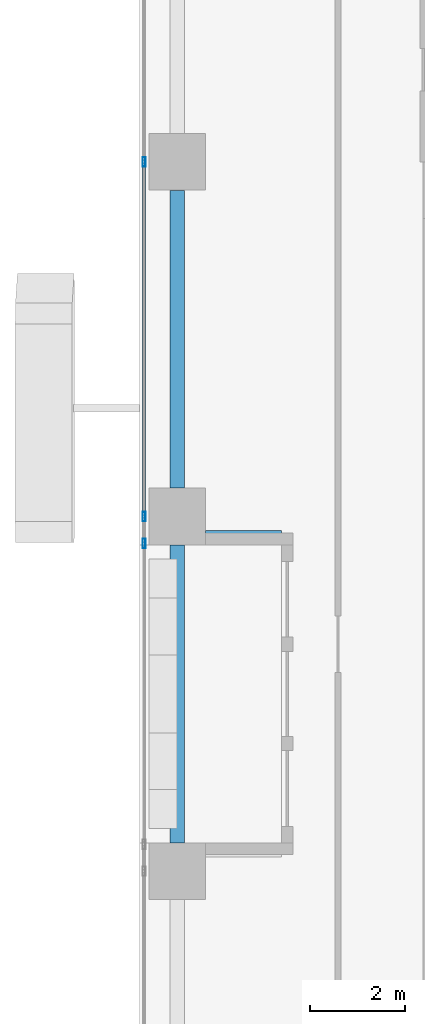
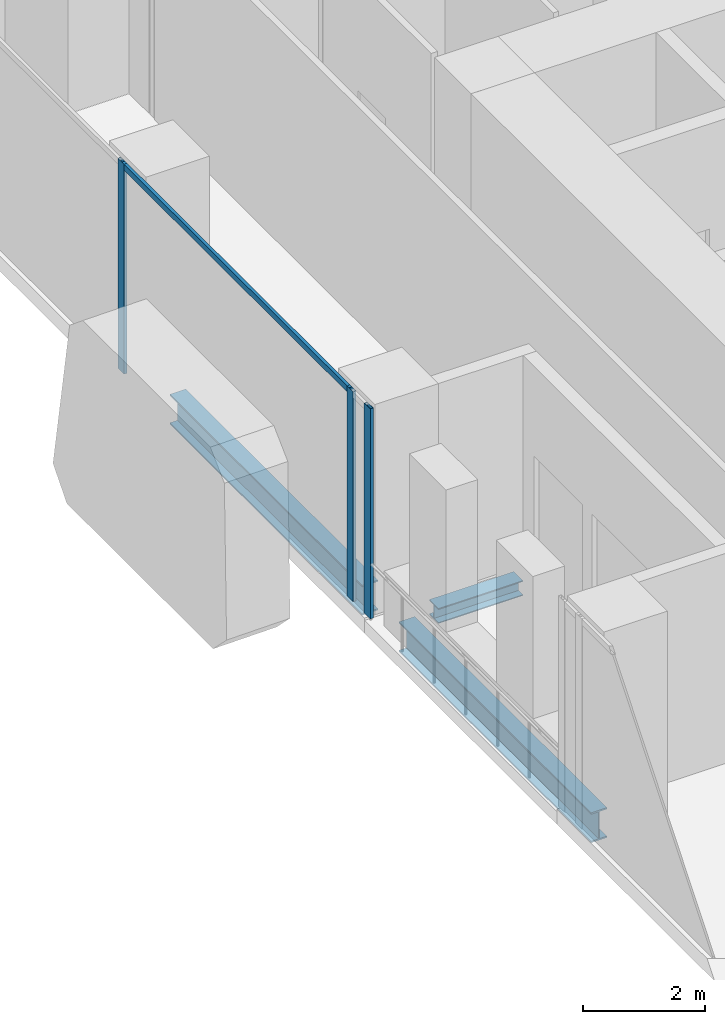
# One storey, part 12 of 35: 4 members, 3 beams, 1 element without a shape of its own.
"""IFC4 building model written with IfcOpenShell, lengths in metres."""

import ifcopenshell
import ifcopenshell.guid

model = None  # the IFC model being written
_history = None  # IfcOwnerHistory: only IFC2X3 demands one
_inside = {}  # id of a spatial element -> (the spatial element, [elements in it])
_under = {}  # id of a project, library or spatial element -> (it, [spatial elements below it])
_declared = {}  # id of a project -> (the project, [libraries it declares])
_typed = {}  # id of a type object -> (the type object, [elements of that type])
_made_of = {}  # id of a material, layer set ... -> (it, [elements and type objects made of it])


def new_model(schema):
    """Start an empty IFC model of exactly this schema.

    Asked for "IFC4X3", IfcOpenShell would pick the latest addendum, in which some entities
    have other attributes; the version numbers below select the first issue.
    IFC2X3 requires an IfcOwnerHistory on every rooted entity: one is made here for all.
    """
    global model, _history
    if schema == "IFC4X3":
        model = ifcopenshell.file(schema_version=(4, 3, 0, 0))
    else:
        model = ifcopenshell.file(schema=schema)
    _inside.clear()
    _under.clear()
    _declared.clear()
    _typed.clear()
    _made_of.clear()
    _history = None
    if model.schema == "IFC2X3":
        org = make("IfcOrganization", Name="unknown")
        user = make(
            "IfcPersonAndOrganization",
            ThePerson=make("IfcPerson", FamilyName="unknown"),
            TheOrganization=org,
        )
        app = make(
            "IfcApplication",
            ApplicationDeveloper=org,
            Version="unknown",
            ApplicationFullName="unknown",
            ApplicationIdentifier="unknown",
        )
        _history = make(
            "IfcOwnerHistory",
            OwningUser=user,
            OwningApplication=app,
            ChangeAction="ADDED",
            CreationDate=0,
        )
    return model


def make(cls, **values):
    """One entity of the class cls with the attributes given. An attribute that is None is left unset."""
    return model.create_entity(
        cls, **{name: value for name, value in values.items() if value is not None}
    )


def rooted(cls, **values):
    """An entity with a GlobalId (a new one), such as an element, a storey or a relation."""
    return make(cls, GlobalId=ifcopenshell.guid.new(), OwnerHistory=_history, **values)


def si_unit(unit_type, name, prefix=None):
    """IfcSIUnit, for example si_unit("LENGTHUNIT", "METRE", prefix="MILLI")."""
    return make("IfcSIUnit", UnitType=unit_type, Prefix=prefix, Name=name)


def assignment(units):
    """IfcUnitAssignment: the units of a project."""
    return None if units is None else make("IfcUnitAssignment", Units=units)


def point(xyz):
    """IfcCartesianPoint."""
    return None if xyz is None else make("IfcCartesianPoint", Coordinates=xyz)


def direction(xyz):
    """IfcDirection."""
    return None if xyz is None else make("IfcDirection", DirectionRatios=xyz)


def frame(location, z_axis=None, x_axis=None):
    """IfcAxis2Placement3D, a coordinate frame: its origin and axes. An axis left out is left unset."""
    return make(
        "IfcAxis2Placement3D",
        Location=point(location),
        Axis=direction(z_axis),
        RefDirection=direction(x_axis),
    )


def frame_2d(location, x_axis=None):
    """IfcAxis2Placement2D, a coordinate frame in the plane: its origin and x axis."""
    return make(
        "IfcAxis2Placement2D", Location=point(location), RefDirection=direction(x_axis)
    )


def origin():
    """The frame at (0, 0, 0) with its axes left unset."""
    return frame((0.0, 0.0, 0.0))


def origin_2d():
    """The frame at (0, 0) in the plane with its x axis left unset."""
    return frame_2d((0.0, 0.0))


def place(relative_to, where):
    """IfcLocalPlacement: puts the frame where relative to a parent placement (None: the world)."""
    return make(
        "IfcLocalPlacement", PlacementRelTo=relative_to, RelativePlacement=where
    )


def context(
    kind, dimensions, precision=None, world=None, true_north=None, identifier=None
):
    """IfcGeometricRepresentationContext, for example the 3D "Model" context."""
    return make(
        "IfcGeometricRepresentationContext",
        ContextIdentifier=identifier,
        ContextType=kind,
        CoordinateSpaceDimension=dimensions,
        Precision=precision,
        WorldCoordinateSystem=world,
        TrueNorth=true_north,
    )


def subcontext(parent, identifier, kind, view, scale=None):
    """IfcGeometricRepresentationSubContext, for example "Body" below "Model"."""
    return make(
        "IfcGeometricRepresentationSubContext",
        ContextIdentifier=identifier,
        ContextType=kind,
        ParentContext=parent,
        TargetScale=scale,
        TargetView=view,
    )


def project(units=None, contexts=None):
    """IfcProject with its units and contexts."""
    return rooted(
        "IfcProject",
        Name="project",
        RepresentationContexts=contexts,
        UnitsInContext=assignment(units),
    )


def spatial(cls, under=None, at=None, **own):
    """A site, building, storey or space (cls), placed at a placement, below another one or the project."""
    s = rooted(cls, ObjectPlacement=at, **own)
    if under is not None:
        _under.setdefault(under.id(), (under, []))[1].append(s)
    return s


def profile(cls, at=None, kind="AREA", **sizes):
    """A parametric profile (cls). Its sizes go by their IFC names, for example OverallWidth=200.0."""
    return make(cls, ProfileType=kind, Position=at, **sizes)


def hollow_rectangle(**sizes):
    """IfcRectangleHollowProfileDef."""
    return profile("IfcRectangleHollowProfileDef", **sizes)


def i_section(**sizes):
    """IfcIShapeProfileDef."""
    return profile("IfcIShapeProfileDef", **sizes)


def extrude(swept, where, along, depth):
    """IfcExtrudedAreaSolid: the profile swept, set in the frame where, extruded along a direction by depth."""
    return make(
        "IfcExtrudedAreaSolid",
        SweptArea=swept,
        Position=where,
        ExtrudedDirection=direction(along),
        Depth=depth,
    )


def shape(context_of_items, identifier, shape_type, items):
    """IfcShapeRepresentation: the items that make up one representation, for example the "Body"."""
    return make(
        "IfcShapeRepresentation",
        ContextOfItems=context_of_items,
        RepresentationIdentifier=identifier,
        RepresentationType=shape_type,
        Items=items,
    )


def source(mapping_origin, context_of_items, identifier, shape_type, items):
    """IfcRepresentationMap: a shape defined once, which mapped items show again and again."""
    return make(
        "IfcRepresentationMap",
        MappingOrigin=mapping_origin,
        MappedRepresentation=shape(context_of_items, identifier, shape_type, items),
    )


def transform(
    local_origin,
    x_axis=None,
    y_axis=None,
    z_axis=None,
    scale=None,
    scale2=None,
    scale3=None,
    uniform=True,
):
    """IfcCartesianTransformationOperator3D, or its non-uniform kind. x_axis, y_axis, z_axis: its Axis1, 2, 3."""
    if uniform:
        return make(
            "IfcCartesianTransformationOperator3D",
            Axis1=direction(x_axis),
            Axis2=direction(y_axis),
            LocalOrigin=point(local_origin),
            Scale=scale,
            Axis3=direction(z_axis),
        )
    return make(
        "IfcCartesianTransformationOperator3DnonUniform",
        Axis1=direction(x_axis),
        Axis2=direction(y_axis),
        LocalOrigin=point(local_origin),
        Scale=scale,
        Axis3=direction(z_axis),
        Scale2=scale2,
        Scale3=scale3,
    )


def mapped(mapping_source, mapping_target):
    """IfcMappedItem: shows the shape of a source again, moved by a transform."""
    return make(
        "IfcMappedItem", MappingSource=mapping_source, MappingTarget=mapping_target
    )


def material(Name=None, Category=None):
    """IfcMaterial."""
    return make("IfcMaterial", Name=Name, Category=Category)


def material_profile(
    of_material, cross_section, Name=None, Category=None, Priority=None
):
    """IfcMaterialProfile: a cross section and its material."""
    return make(
        "IfcMaterialProfile",
        Name=Name,
        Material=of_material,
        Profile=cross_section,
        Priority=Priority,
        Category=Category,
    )


def profile_set(profiles, Name=None, composite=None):
    """IfcMaterialProfileSet."""
    return make(
        "IfcMaterialProfileSet",
        Name=Name,
        MaterialProfiles=profiles,
        CompositeProfile=composite,
    )


def made_of(thing, what):
    """Note that an element or type object is made of a material, layer set ...; save() writes the relation."""
    if what is not None:
        _made_of.setdefault(what.id(), (what, []))[1].append(thing)
    return thing


def type_object(cls, material=None, **own):
    """A type object (cls), such as IfcWallType, which elements share."""
    return made_of(rooted(cls, **own), material)


def element(
    cls,
    number,
    at=None,
    inside=None,
    cuts=None,
    type_object=None,
    material=None,
    context=None,
    identifier="Body",
    shape_type=None,
    held_by="IfcProductDefinitionShape",
    body=None,
    shapes=None,
    **own,
):
    """One element of the class cls, such as IfcWall. Its Tag is "e" and its number.

    at: its placement. inside: the storey or other place that contains it. cuts: it is an
    opening in that element (IfcRelVoidsElement). A single representation is given by context,
    identifier, shape_type and body (its items); several are given by shapes. held_by: the class
    of the entity that holds the representations. save() writes the other relations.
    """
    e = rooted(cls, Tag="e%d" % number, ObjectPlacement=at, **own)
    if body is not None:
        shapes = [shape(context, identifier, shape_type, body)]
    if shapes is not None:
        e.Representation = make(held_by, Representations=shapes)
    if inside is not None:
        _inside.setdefault(inside.id(), (inside, []))[1].append(e)
    if cuts is not None:
        rooted(
            "IfcRelVoidsElement", RelatingBuildingElement=cuts, RelatedOpeningElement=e
        )
    if type_object is not None:
        _typed.setdefault(type_object.id(), (type_object, []))[1].append(e)
    return made_of(e, material)


def aggregate(whole, parts):
    """IfcRelAggregates: a whole, such as a stair, and the parts it consists of."""
    return rooted("IfcRelAggregates", RelatingObject=whole, RelatedObjects=parts)


def save(model, path):
    """Write the relations noted so far, then the file.

    IfcRelAggregates (storeys below a building ...), IfcRelContainedInSpatialStructure (elements
    in a storey), IfcRelDefinesByType, IfcRelAssociatesMaterial and IfcRelDeclares: one each for
    every whole, place, type object, material and project.
    """
    for whole, parts in _under.values():
        aggregate(whole, parts)
    for where, things in _inside.values():
        rooted(
            "IfcRelContainedInSpatialStructure",
            RelatedElements=things,
            RelatingStructure=where,
        )
    for kind, things in _typed.values():
        rooted("IfcRelDefinesByType", RelatedObjects=things, RelatingType=kind)
    for what, things in _made_of.values():
        rooted("IfcRelAssociatesMaterial", RelatedObjects=things, RelatingMaterial=what)
    for by, libraries in _declared.values():
        rooted("IfcRelDeclares", RelatingContext=by, RelatedDefinitions=libraries)
    model.write(path)


model = new_model("IFC4")

# Units and contexts
model_context = context("Model", 3, precision=1e-05, world=origin(), true_north=direction((0.0, 1.0)))
body_context = subcontext(model_context, "Body", "Model", "MODEL_VIEW")
ifc_project = project(units=[si_unit("LENGTHUNIT", "METRE"), si_unit("AREAUNIT", "SQUARE_METRE"), si_unit("VOLUMEUNIT", "CUBIC_METRE"), si_unit("PLANEANGLEUNIT", "RADIAN"), si_unit("MASSUNIT", "GRAM", prefix="KILO")], contexts=[model_context])

# Site, building, storey
site_placement = place(None, origin())
site = spatial("IfcSite", under=ifc_project, at=site_placement, CompositionType="ELEMENT")
building_placement = place(site_placement, origin())
building = spatial("IfcBuilding", under=site, at=building_placement, Name="Khomas Fold Tower", CompositionType="ELEMENT")
storey_placement = place(building_placement, frame((0.0, 0.0, 69.0)))
storey = spatial("IfcBuildingStorey", under=building, at=storey_placement, Name="L14", CompositionType="ELEMENT", Elevation=69.0)

# Beams
ifc_material_1 = material(Name="Steel S355", Category="steel")
ifc_material_profile_1 = material_profile(ifc_material_1, i_section(OverallWidth=0.300048828125, OverallDepth=0.60009765625, WebThickness=0.015380859375, FlangeThickness=0.030029296875, at=origin_2d()), Name="HE 600 B")
ifc_profile_set_1 = profile_set([ifc_material_profile_1], Name="Steel S355")
beam_type_1 = type_object("IfcBeamType", Name="HE 600 B spandrel SB1", PredefinedType="SPANDREL", material=ifc_profile_set_1)
shared_shape_1 = source(origin(), body_context, "Body", "SweptSolid", [
    extrude(i_section(OverallWidth=0.300048828125, OverallDepth=0.60009765625, WebThickness=0.015380859375, FlangeThickness=0.030029296875, at=origin_2d()), origin(), (0.0, 0.0, 1.0), 6.2998046875),
])
for number, where, z_axis, x_axis, name in (
    (1, (0.800048828125, 35.10009765625, -0.60009765625), (0.0, 1.0, 0.0), (-1.0, 0.0, 0.0), "SB1"),
    (2, (0.800048828125, 27.60009765625, -0.60009765625), (0.0, 1.0, 0.0), (-1.0, 0.0, 0.0), "SB1"),
):
    element("IfcBeam", number, at=place(storey_placement, frame(where, z_axis=z_axis, x_axis=x_axis)), inside=storey, type_object=beam_type_1, Name=name, PredefinedType="SPANDREL", context=body_context, shape_type="MappedRepresentation", body=[
        mapped(shared_shape_1, transform((0.0, 0.0, 0.0))),
    ])
ifc_material_2 = material(Name="Steel S355", Category="steel")
ifc_material_profile_2 = material_profile(ifc_material_2, i_section(OverallWidth=0.300048828125, OverallDepth=0.300048828125, WebThickness=0.010986328125, FlangeThickness=0.01904296875, at=origin_2d()), Name="HE 300 B")
ifc_profile_set_2 = profile_set([ifc_material_profile_2], Name="Steel S355")
beam_type_2 = type_object("IfcBeamType", Name="HE 300 B beam BB1", PredefinedType="BEAM", material=ifc_profile_set_2)
shared_shape_2 = source(origin(), body_context, "Body", "SweptSolid", [
    extrude(i_section(OverallWidth=0.300048828125, OverallDepth=0.300048828125, WebThickness=0.010986328125, FlangeThickness=0.01904296875, at=origin_2d()), origin(), (0.0, 0.0, 1.0), 1.60009765625),
])
beam_placement = place(storey_placement, frame((1.39990234375, 34.050048828125, -0.449951171875), z_axis=(1.0, 0.0, 0.0), x_axis=(0.0, 1.0, 0.0)))
element("IfcBeam", 3, at=beam_placement, inside=storey, type_object=beam_type_2, Name="BB1", PredefinedType="BEAM", context=body_context, shape_type="MappedRepresentation", body=[
    mapped(shared_shape_2, transform((0.0, 0.0, 0.0))),
])

# Curtain wall, members
ifc_material_3 = material(Name="Aluminium framed double glazing", Category="aluminium")
curtain_wall_type = type_object("IfcCurtainWallType", Name="SK-Unitised clear-glass wall, growing floors CW1", PredefinedType="NOTDEFINED", material=ifc_material_3)
curtain_wall_placement = place(storey_placement, origin())
curtain_wall = element("IfcCurtainWall", 4, at=curtain_wall_placement, inside=storey, type_object=curtain_wall_type, Name="CW1 run L14 09-0", PredefinedType="NOTDEFINED")
ifc_material_4 = material(Name="Aluminium", Category="aluminium")
ifc_material_profile_3 = material_profile(ifc_material_4, hollow_rectangle(XDim=0.06005859375, YDim=0.1201171875, WallThickness=0.00390625, at=origin_2d()), Name="SK-Unitised clear-glass wall, growing floors transom CW1-T")
ifc_profile_set_3 = profile_set([ifc_material_profile_3], Name="Aluminium")
member_type_1 = type_object("IfcMemberType", Name="SK-Unitised clear-glass wall, growing floors transom CW1-T", PredefinedType="USERDEFINED", material=ifc_profile_set_3)
shared_shape_3 = source(origin(), body_context, "Body", "SweptSolid", [
    extrude(hollow_rectangle(XDim=0.06005859375, YDim=0.1201171875, WallThickness=0.00390625, at=origin_2d()), origin(), (0.0, 0.0, 1.0), 7.43994140625),
])
member_1_placement = place(storey_placement, frame((0.10009765625, 41.969970703125, 4.139892578125), z_axis=(0.0, -1.0, 0.0), x_axis=(1.0, 0.0, 0.0)))
member_1 = element("IfcMember", 5, at=member_1_placement, type_object=member_type_1, Name="CW1 transom 3", ObjectType="TRANSOM", PredefinedType="USERDEFINED", context=body_context, shape_type="MappedRepresentation", body=[
    mapped(shared_shape_3, transform((0.0, 0.0, 0.0))),
])
ifc_material_5 = material(Name="Aluminium", Category="aluminium")
ifc_material_profile_4 = material_profile(ifc_material_5, hollow_rectangle(XDim=0.06005859375, YDim=0.199951171875, WallThickness=0.00390625, at=origin_2d()), Name="SK-Unitised clear-glass wall, growing floors mullion CW1-M")
ifc_profile_set_4 = profile_set([ifc_material_profile_4], Name="Aluminium")
member_type_2 = type_object("IfcMemberType", Name="SK-Unitised clear-glass wall, growing floors mullion CW1-M", PredefinedType="MULLION", material=ifc_profile_set_4)
shared_shape_4 = source(origin(), body_context, "Body", "SweptSolid", [
    extrude(hollow_rectangle(XDim=0.06005859375, YDim=0.199951171875, WallThickness=0.00390625, at=origin_2d()), origin(), (0.0, 0.0, 1.0), 4.199951171875),
])
member_2_placement = place(storey_placement, frame((0.10009765625, 42.0, 0.0), z_axis=(0.0, 0.0, 1.0), x_axis=(1.0, 0.0, 0.0)))
member_2 = element("IfcMember", 6, at=member_2_placement, type_object=member_type_2, Name="CW1 mullion 3", PredefinedType="MULLION", context=body_context, shape_type="MappedRepresentation", body=[
    mapped(shared_shape_4, transform((0.0, 0.0, 0.0))),
])
member_3_placement = place(storey_placement, frame((0.10009765625, 34.5, 0.0), z_axis=(0.0, 0.0, 1.0), x_axis=(1.0, 0.0, 0.0)))
member_3 = element("IfcMember", 7, at=member_3_placement, type_object=member_type_2, Name="CW1 mullion 4", PredefinedType="MULLION", context=body_context, shape_type="MappedRepresentation", body=[
    mapped(shared_shape_4, transform((0.0, 0.0, 0.0))),
])
member_4_placement = place(storey_placement, frame((0.10009765625, 33.929931640625, 0.0), z_axis=(0.0, 0.0, 1.0), x_axis=(1.0, 0.0, 0.0)))
member_4 = element("IfcMember", 8, at=member_4_placement, type_object=member_type_2, Name="CW1 mullion 5", PredefinedType="MULLION", context=body_context, shape_type="MappedRepresentation", body=[
    mapped(shared_shape_4, transform((0.0, 0.0, 0.0))),
])
aggregate(curtain_wall, [member_2, member_3, member_4, member_1])

save(model, "model.ifc")
